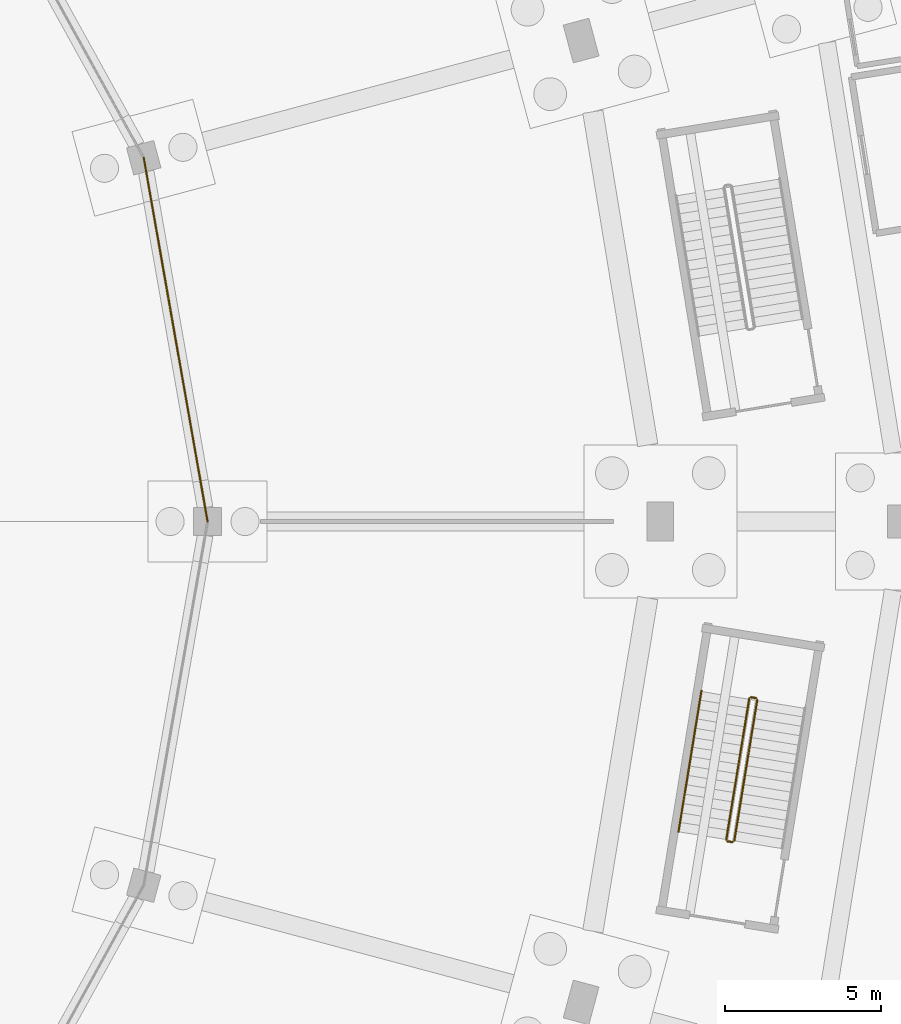
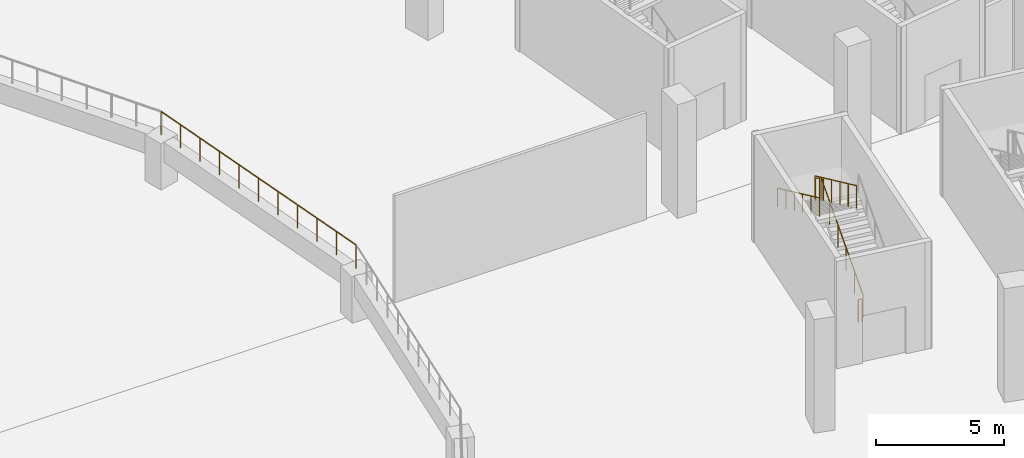
# One storey, part 77 of 103: 6 railings.
"""IFC4 building model written with IfcOpenShell, lengths in metres."""

import ifcopenshell
import ifcopenshell.guid

model = None  # the IFC model being written
_history = None  # IfcOwnerHistory: only IFC2X3 demands one
_inside = {}  # id of a spatial element -> (the spatial element, [elements in it])
_under = {}  # id of a project, library or spatial element -> (it, [spatial elements below it])
_declared = {}  # id of a project -> (the project, [libraries it declares])
_typed = {}  # id of a type object -> (the type object, [elements of that type])
_made_of = {}  # id of a material, layer set ... -> (it, [elements and type objects made of it])


def new_model(schema):
    """Start an empty IFC model of exactly this schema.

    Asked for "IFC4X3", IfcOpenShell would pick the latest addendum, in which some entities
    have other attributes; the version numbers below select the first issue.
    IFC2X3 requires an IfcOwnerHistory on every rooted entity: one is made here for all.
    """
    global model, _history
    if schema == "IFC4X3":
        model = ifcopenshell.file(schema_version=(4, 3, 0, 0))
    else:
        model = ifcopenshell.file(schema=schema)
    _inside.clear()
    _under.clear()
    _declared.clear()
    _typed.clear()
    _made_of.clear()
    _history = None
    if model.schema == "IFC2X3":
        org = make("IfcOrganization", Name="unknown")
        user = make(
            "IfcPersonAndOrganization",
            ThePerson=make("IfcPerson", FamilyName="unknown"),
            TheOrganization=org,
        )
        app = make(
            "IfcApplication",
            ApplicationDeveloper=org,
            Version="unknown",
            ApplicationFullName="unknown",
            ApplicationIdentifier="unknown",
        )
        _history = make(
            "IfcOwnerHistory",
            OwningUser=user,
            OwningApplication=app,
            ChangeAction="ADDED",
            CreationDate=0,
        )
    return model


def make(cls, **values):
    """One entity of the class cls with the attributes given. An attribute that is None is left unset."""
    return model.create_entity(
        cls, **{name: value for name, value in values.items() if value is not None}
    )


def rooted(cls, **values):
    """An entity with a GlobalId (a new one), such as an element, a storey or a relation."""
    return make(cls, GlobalId=ifcopenshell.guid.new(), OwnerHistory=_history, **values)


def si_unit(unit_type, name, prefix=None):
    """IfcSIUnit, for example si_unit("LENGTHUNIT", "METRE", prefix="MILLI")."""
    return make("IfcSIUnit", UnitType=unit_type, Prefix=prefix, Name=name)


def assignment(units):
    """IfcUnitAssignment: the units of a project."""
    return None if units is None else make("IfcUnitAssignment", Units=units)


def point(xyz):
    """IfcCartesianPoint."""
    return None if xyz is None else make("IfcCartesianPoint", Coordinates=xyz)


def direction(xyz):
    """IfcDirection."""
    return None if xyz is None else make("IfcDirection", DirectionRatios=xyz)


def frame(location, z_axis=None, x_axis=None):
    """IfcAxis2Placement3D, a coordinate frame: its origin and axes. An axis left out is left unset."""
    return make(
        "IfcAxis2Placement3D",
        Location=point(location),
        Axis=direction(z_axis),
        RefDirection=direction(x_axis),
    )


def frame_2d(location, x_axis=None):
    """IfcAxis2Placement2D, a coordinate frame in the plane: its origin and x axis."""
    return make(
        "IfcAxis2Placement2D", Location=point(location), RefDirection=direction(x_axis)
    )


def origin():
    """The frame at (0, 0, 0) with its axes left unset."""
    return frame((0.0, 0.0, 0.0))


def origin_2d():
    """The frame at (0, 0) in the plane with its x axis left unset."""
    return frame_2d((0.0, 0.0))


def place(relative_to, where):
    """IfcLocalPlacement: puts the frame where relative to a parent placement (None: the world)."""
    return make(
        "IfcLocalPlacement", PlacementRelTo=relative_to, RelativePlacement=where
    )


def context(
    kind, dimensions, precision=None, world=None, true_north=None, identifier=None
):
    """IfcGeometricRepresentationContext, for example the 3D "Model" context."""
    return make(
        "IfcGeometricRepresentationContext",
        ContextIdentifier=identifier,
        ContextType=kind,
        CoordinateSpaceDimension=dimensions,
        Precision=precision,
        WorldCoordinateSystem=world,
        TrueNorth=true_north,
    )


def subcontext(parent, identifier, kind, view, scale=None):
    """IfcGeometricRepresentationSubContext, for example "Body" below "Model"."""
    return make(
        "IfcGeometricRepresentationSubContext",
        ContextIdentifier=identifier,
        ContextType=kind,
        ParentContext=parent,
        TargetScale=scale,
        TargetView=view,
    )


def project(units=None, contexts=None):
    """IfcProject with its units and contexts."""
    return rooted(
        "IfcProject",
        Name="project",
        RepresentationContexts=contexts,
        UnitsInContext=assignment(units),
    )


def spatial(cls, under=None, at=None, **own):
    """A site, building, storey or space (cls), placed at a placement, below another one or the project."""
    s = rooted(cls, ObjectPlacement=at, **own)
    if under is not None:
        _under.setdefault(under.id(), (under, []))[1].append(s)
    return s


def profile(cls, at=None, kind="AREA", **sizes):
    """A parametric profile (cls). Its sizes go by their IFC names, for example OverallWidth=200.0."""
    return make(cls, ProfileType=kind, Position=at, **sizes)


def circle(**sizes):
    """IfcCircleProfileDef."""
    return profile("IfcCircleProfileDef", **sizes)


def extrude(swept, where, along, depth):
    """IfcExtrudedAreaSolid: the profile swept, set in the frame where, extruded along a direction by depth."""
    return make(
        "IfcExtrudedAreaSolid",
        SweptArea=swept,
        Position=where,
        ExtrudedDirection=direction(along),
        Depth=depth,
    )


def shape(context_of_items, identifier, shape_type, items):
    """IfcShapeRepresentation: the items that make up one representation, for example the "Body"."""
    return make(
        "IfcShapeRepresentation",
        ContextOfItems=context_of_items,
        RepresentationIdentifier=identifier,
        RepresentationType=shape_type,
        Items=items,
    )


def material(Name=None, Category=None):
    """IfcMaterial."""
    return make("IfcMaterial", Name=Name, Category=Category)


def made_of(thing, what):
    """Note that an element or type object is made of a material, layer set ...; save() writes the relation."""
    if what is not None:
        _made_of.setdefault(what.id(), (what, []))[1].append(thing)
    return thing


def type_object(cls, material=None, **own):
    """A type object (cls), such as IfcWallType, which elements share."""
    return made_of(rooted(cls, **own), material)


def element(
    cls,
    number,
    at=None,
    inside=None,
    cuts=None,
    type_object=None,
    material=None,
    context=None,
    identifier="Body",
    shape_type=None,
    held_by="IfcProductDefinitionShape",
    body=None,
    shapes=None,
    **own,
):
    """One element of the class cls, such as IfcWall. Its Tag is "e" and its number.

    at: its placement. inside: the storey or other place that contains it. cuts: it is an
    opening in that element (IfcRelVoidsElement). A single representation is given by context,
    identifier, shape_type and body (its items); several are given by shapes. held_by: the class
    of the entity that holds the representations. save() writes the other relations.
    """
    e = rooted(cls, Tag="e%d" % number, ObjectPlacement=at, **own)
    if body is not None:
        shapes = [shape(context, identifier, shape_type, body)]
    if shapes is not None:
        e.Representation = make(held_by, Representations=shapes)
    if inside is not None:
        _inside.setdefault(inside.id(), (inside, []))[1].append(e)
    if cuts is not None:
        rooted(
            "IfcRelVoidsElement", RelatingBuildingElement=cuts, RelatedOpeningElement=e
        )
    if type_object is not None:
        _typed.setdefault(type_object.id(), (type_object, []))[1].append(e)
    return made_of(e, material)


def aggregate(whole, parts):
    """IfcRelAggregates: a whole, such as a stair, and the parts it consists of."""
    return rooted("IfcRelAggregates", RelatingObject=whole, RelatedObjects=parts)


def save(model, path):
    """Write the relations noted so far, then the file.

    IfcRelAggregates (storeys below a building ...), IfcRelContainedInSpatialStructure (elements
    in a storey), IfcRelDefinesByType, IfcRelAssociatesMaterial and IfcRelDeclares: one each for
    every whole, place, type object, material and project.
    """
    for whole, parts in _under.values():
        aggregate(whole, parts)
    for where, things in _inside.values():
        rooted(
            "IfcRelContainedInSpatialStructure",
            RelatedElements=things,
            RelatingStructure=where,
        )
    for kind, things in _typed.values():
        rooted("IfcRelDefinesByType", RelatedObjects=things, RelatingType=kind)
    for what, things in _made_of.values():
        rooted("IfcRelAssociatesMaterial", RelatedObjects=things, RelatingMaterial=what)
    for by, libraries in _declared.values():
        rooted("IfcRelDeclares", RelatingContext=by, RelatedDefinitions=libraries)
    model.write(path)


model = new_model("IFC4")

# Units and contexts
model_context = context("Model", 3, precision=1e-05, world=origin(), true_north=direction((0.0, 1.0)))
body_context = subcontext(model_context, "Body", "Model", "MODEL_VIEW")
ifc_project = project(units=[si_unit("LENGTHUNIT", "METRE"), si_unit("AREAUNIT", "SQUARE_METRE"), si_unit("VOLUMEUNIT", "CUBIC_METRE"), si_unit("PLANEANGLEUNIT", "RADIAN"), si_unit("MASSUNIT", "GRAM", prefix="KILO")], contexts=[model_context])

# Site, building, storey
site_placement = place(None, origin())
site = spatial("IfcSite", under=ifc_project, at=site_placement, CompositionType="ELEMENT")
building_placement = place(site_placement, origin())
building = spatial("IfcBuilding", under=site, at=building_placement, Name="Zevraka Park Crest Stadium", CompositionType="ELEMENT")
storey_placement = place(building_placement, origin())
storey = spatial("IfcBuildingStorey", under=building, at=storey_placement, Name="L00", CompositionType="ELEMENT", Elevation=0.0)

# Railings
ifc_material_1 = material(Name="Laminated glass and stainless steel sightline bowl guard", Category="steel")
railing_type_1 = type_object("IfcRailingType", Name="GR02", PredefinedType="GUARDRAIL", material=ifc_material_1)
railing_1_placement = place(storey_placement, frame((172.0, 92.0, 2.199951171875)))
element("IfcRailing", 1, at=railing_1_placement, inside=storey, type_object=railing_type_1, Name="Lower Tier Pitch Sightline Guard GR02 00", PredefinedType="GUARDRAIL", context=body_context, shape_type="SweptSolid", body=[
    extrude(circle(Radius=0.02392578125, at=origin_2d()), frame((0.0, 0.0, 1.09619140625), z_axis=(-0.172850079184, 0.984948145907, 0.0), x_axis=(-0.984948145907, -0.172850079184, 0.0)), (0.0, 0.0, 1.0), 11.824951171875),
    extrude(circle(Radius=0.02099609375, at=origin_2d()), origin(), (0.0, 0.0, 1.0), 1.072021484375),
    extrude(circle(Radius=0.02099609375, at=origin_2d()), frame((-0.204345703125, 1.164794921875, 0.0)), (0.0, 0.0, 1.0), 1.072021484375),
    extrude(circle(Radius=0.02099609375, at=origin_2d()), frame((-0.40869140625, 2.329345703125, 0.0)), (0.0, 0.0, 1.0), 1.072021484375),
    extrude(circle(Radius=0.02099609375, at=origin_2d()), frame((-0.61328125, 3.494140625, 0.0)), (0.0, 0.0, 1.0), 1.072021484375),
    extrude(circle(Radius=0.02099609375, at=origin_2d()), frame((-0.817626953125, 4.65869140625, 0.0)), (0.0, 0.0, 1.0), 1.072021484375),
    extrude(circle(Radius=0.02099609375, at=origin_2d()), frame((-1.02197265625, 5.823486328125, 0.0)), (0.0, 0.0, 1.0), 1.072021484375),
    extrude(circle(Radius=0.02099609375, at=origin_2d()), frame((-1.226318359375, 6.98828125, 0.0)), (0.0, 0.0, 1.0), 1.072021484375),
    extrude(circle(Radius=0.02099609375, at=origin_2d()), frame((-1.4306640625, 8.15283203125, 0.0)), (0.0, 0.0, 1.0), 1.072021484375),
    extrude(circle(Radius=0.02099609375, at=origin_2d()), frame((-1.63525390625, 9.317626953125, 0.0)), (0.0, 0.0, 1.0), 1.072021484375),
    extrude(circle(Radius=0.02099609375, at=origin_2d()), frame((-1.839599609375, 10.482177734375, 0.0)), (0.0, 0.0, 1.0), 1.072021484375),
    extrude(circle(Radius=0.02099609375, at=origin_2d()), frame((-2.0439453125, 11.64697265625, 0.0)), (0.0, 0.0, 1.0), 1.072021484375),
])
ifc_material_2 = material(Name="Powder-coated tubular steel stairwell guard", Category="steel")
railing_type_2 = type_object("IfcRailingType", Name="GR03", PredefinedType="GUARDRAIL", material=ifc_material_2)
railing_2_placement = place(storey_placement, frame((188.866455078125, 81.775390625, 0.168701171875)))
element("IfcRailing", 2, at=railing_2_placement, inside=storey, type_object=railing_type_2, Name="L00 ST44 stair guard 1", PredefinedType="GUARDRAIL", context=body_context, shape_type="SweptSolid", body=[
    extrude(circle(Radius=0.02392578125, at=origin_2d()), frame((0.0, 0.0, 1.076171875), z_axis=(0.140644421188, 0.863618383089, 0.484130597235), x_axis=(-0.986997230318, 0.160737261839, 0.0)), (0.0, 0.0, 1.0), 5.228515625),
    extrude(circle(Radius=0.02099609375, at=origin_2d()), origin(), (0.0, 0.0, 1.0), 1.052001953125),
    extrude(circle(Radius=0.02099609375, at=origin_2d()), frame((0.14697265625, 0.903076171875, 0.50634765625)), (0.0, 0.0, 1.0), 1.052001953125),
    extrude(circle(Radius=0.02099609375, at=origin_2d()), frame((0.294189453125, 1.80615234375, 1.012451171875)), (0.0, 0.0, 1.0), 1.052001953125),
    extrude(circle(Radius=0.02099609375, at=origin_2d()), frame((0.441162109375, 2.709228515625, 1.518798828125)), (0.0, 0.0, 1.0), 1.052001953125),
    extrude(circle(Radius=0.02099609375, at=origin_2d()), frame((0.58837890625, 3.6123046875, 2.02490234375)), (0.0, 0.0, 1.0), 1.052001953125),
    extrude(circle(Radius=0.02099609375, at=origin_2d()), frame((0.7353515625, 4.515380859375, 2.53125)), (0.0, 0.0, 1.0), 1.052001953125),
])
railing_3_placement = place(storey_placement, frame((189.560546875, 86.34814453125, 2.699951171875)))
element("IfcRailing", 3, at=railing_3_placement, inside=storey, type_object=railing_type_2, Name="L00 ST44 stair guard 2", PredefinedType="GUARDRAIL", context=body_context, shape_type="SweptSolid", body=[
    extrude(circle(Radius=0.02392578125, at=origin_2d()), frame((0.0, 0.0, 1.076171875), z_axis=(-0.986843627435, 0.161677626751, 0.0), x_axis=(-0.161677626751, -0.986843627435, 0.0)), (0.0, 0.0, 1.0), 0.16015625),
    extrude(circle(Radius=0.02099609375, at=origin_2d()), origin(), (0.0, 0.0, 1.0), 1.052001953125),
    extrude(circle(Radius=0.02099609375, at=origin_2d()), frame((-0.157958984375, 0.02587890625, 0.0)), (0.0, 0.0, 1.0), 1.052001953125),
])
railing_4_placement = place(storey_placement, frame((189.34521484375, 86.33251953125, 2.86865234375)))
element("IfcRailing", 4, at=railing_4_placement, inside=storey, type_object=railing_type_2, Name="L00 ST44 stair guard 3", PredefinedType="GUARDRAIL", context=body_context, shape_type="SweptSolid", body=[
    extrude(circle(Radius=0.02392578125, at=origin_2d()), frame((0.0, 0.0, 1.076171875), z_axis=(-0.140644421188, -0.863618383089, 0.484130597235), x_axis=(0.986997230318, -0.160737261839, 0.0)), (0.0, 0.0, 1.0), 5.228515625),
    extrude(circle(Radius=0.02099609375, at=origin_2d()), origin(), (0.0, 0.0, 1.0), 1.052001953125),
    extrude(circle(Radius=0.02099609375, at=origin_2d()), frame((-0.14697265625, -0.903076171875, 0.50634765625)), (0.0, 0.0, 1.0), 1.052001953125),
    extrude(circle(Radius=0.02099609375, at=origin_2d()), frame((-0.294189453125, -1.80615234375, 1.012451171875)), (0.0, 0.0, 1.0), 1.052001953125),
    extrude(circle(Radius=0.02099609375, at=origin_2d()), frame((-0.441162109375, -2.709228515625, 1.518798828125)), (0.0, 0.0, 1.0), 1.052001953125),
    extrude(circle(Radius=0.02099609375, at=origin_2d()), frame((-0.58837890625, -3.6123046875, 2.02490234375)), (0.0, 0.0, 1.0), 1.052001953125),
    extrude(circle(Radius=0.02099609375, at=origin_2d()), frame((-0.7353515625, -4.515380859375, 2.53125)), (0.0, 0.0, 1.0), 1.052001953125),
])
railing_5_placement = place(storey_placement, frame((188.80908203125, 81.73388671875, 0.0)))
element("IfcRailing", 5, at=railing_5_placement, inside=storey, type_object=railing_type_2, Name="L00 ST44 stair guard 4", PredefinedType="GUARDRAIL", context=body_context, shape_type="SweptSolid", body=[
    extrude(circle(Radius=0.02392578125, at=origin_2d()), frame((0.0, 0.0, 1.076171875), z_axis=(-0.986843627435, 0.161677626751, 0.0), x_axis=(-0.161677626751, -0.986843627435, 0.0)), (0.0, 0.0, 1.0), 0.16015625),
    extrude(circle(Radius=0.02099609375, at=origin_2d()), origin(), (0.0, 0.0, 1.0), 1.052001953125),
    extrude(circle(Radius=0.02099609375, at=origin_2d()), frame((-0.157958984375, 0.02587890625, 0.0)), (0.0, 0.0, 1.0), 1.052001953125),
])
ifc_material_3 = material(Name="Brushed stainless steel continuous handrail", Category="steel")
railing_type_3 = type_object("IfcRailingType", Name="HR01", PredefinedType="HANDRAIL", material=ifc_material_3)
railing_6_placement = place(storey_placement, frame((187.815185546875, 86.581787109375, 2.86865234375)))
element("IfcRailing", 6, at=railing_6_placement, inside=storey, type_object=railing_type_3, Name="L00 ST44 stair handrail 2", PredefinedType="HANDRAIL", context=body_context, shape_type="SweptSolid", body=[
    extrude(circle(Radius=0.02392578125, at=origin_2d()), frame((0.0, 0.0, 0.8759765625), z_axis=(-0.140592979981, -0.863635920866, 0.484114253219), x_axis=(0.987007073121, -0.160676811049, 0.0)), (0.0, 0.0, 1.0), 5.228515625),
    extrude(circle(Radius=0.02099609375, at=origin_2d()), origin(), (0.0, 0.0, 1.0), 0.851806640625),
    extrude(circle(Radius=0.02099609375, at=origin_2d()), frame((-0.14697265625, -0.903076171875, 0.50634765625)), (0.0, 0.0, 1.0), 0.851806640625),
    extrude(circle(Radius=0.02099609375, at=origin_2d()), frame((-0.2939453125, -1.80615234375, 1.012451171875)), (0.0, 0.0, 1.0), 0.851806640625),
    extrude(circle(Radius=0.02099609375, at=origin_2d()), frame((-0.441162109375, -2.70947265625, 1.518798828125)), (0.0, 0.0, 1.0), 0.851806640625),
    extrude(circle(Radius=0.02099609375, at=origin_2d()), frame((-0.588134765625, -3.612548828125, 2.02490234375)), (0.0, 0.0, 1.0), 0.851806640625),
    extrude(circle(Radius=0.02099609375, at=origin_2d()), frame((-0.735107421875, -4.515625, 2.53125)), (0.0, 0.0, 1.0), 0.851806640625),
])

save(model, "model.ifc")
